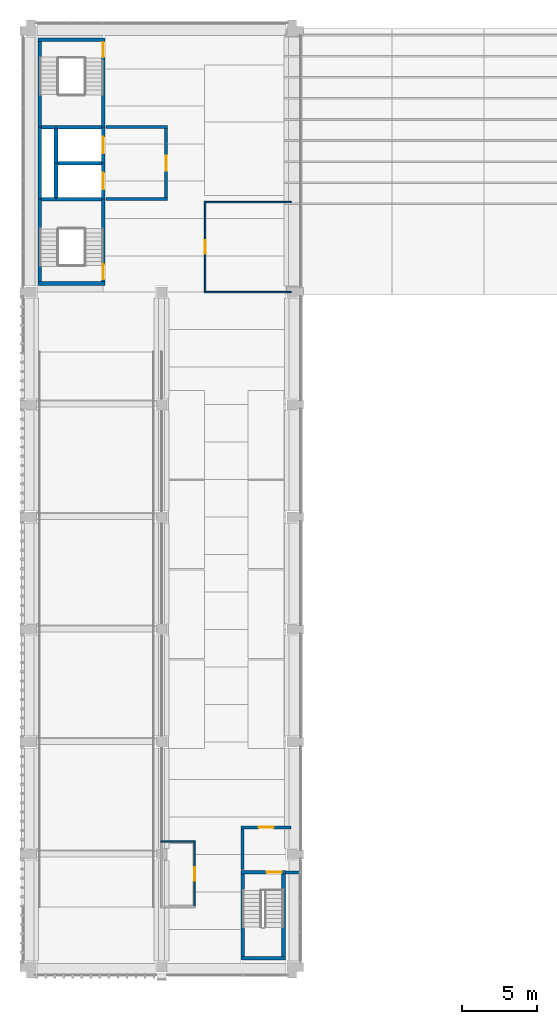
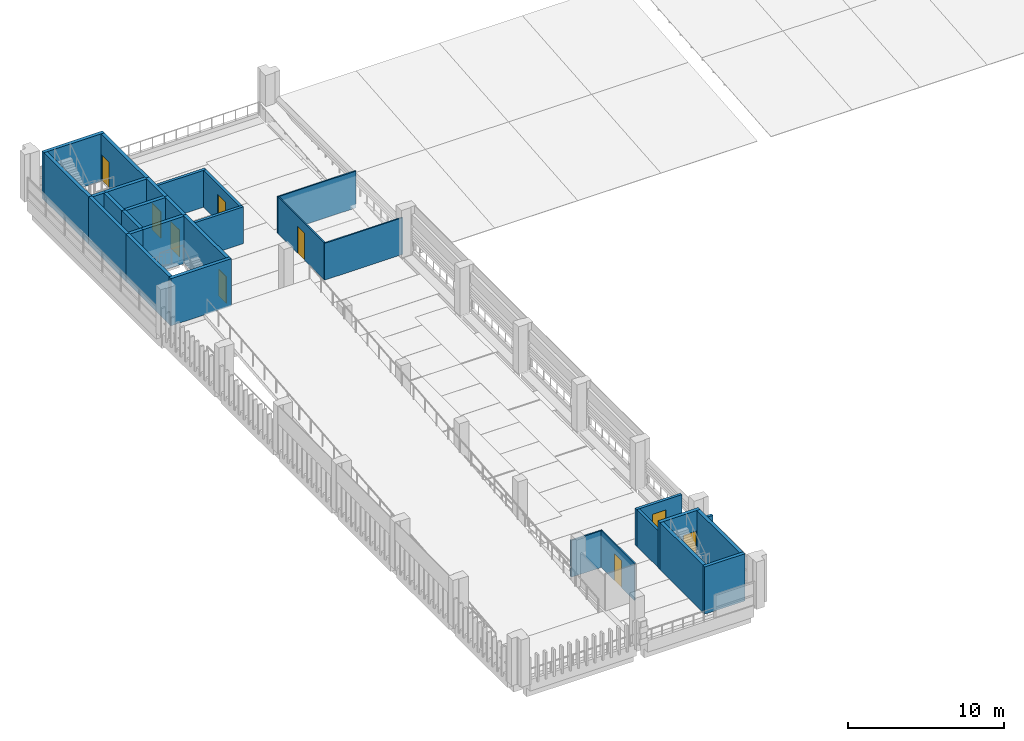
# One storey, part 12 of 24: 31 walls, 9 doors, 9 openings.
"""IFC4 building model written with IfcOpenShell, lengths in metres."""

from ifc_helpers import new_model, si_unit, direction, frame, frame_2d, origin, place, context, subcontext, project, spatial, rectangle, extrude, material, layer, layer_set, type_object, element, fill, save


model = new_model("IFC4")

# Units and contexts
model_context = context("Model", 3, precision=1e-05, world=origin(), true_north=direction((0.0, 1.0)))
body_context = subcontext(model_context, "Body", "Model", "MODEL_VIEW")
ifc_project = project(units=[si_unit("LENGTHUNIT", "METRE"), si_unit("AREAUNIT", "SQUARE_METRE"), si_unit("VOLUMEUNIT", "CUBIC_METRE"), si_unit("PLANEANGLEUNIT", "RADIAN"), si_unit("MASSUNIT", "GRAM", prefix="KILO")], contexts=[model_context])

# Site, building, storey
site_placement = place(None, origin())
site = spatial("IfcSite", under=ifc_project, at=site_placement, CompositionType="ELEMENT")
building_placement = place(site_placement, origin())
building = spatial("IfcBuilding", under=site, at=building_placement, Name="Cour d'Honneur Mobility Palace", CompositionType="ELEMENT")
storey_placement = place(building_placement, frame((0.0, 0.0, 26.699951171875)))
storey = spatial("IfcBuildingStorey", under=building, at=storey_placement, Name="L07", CompositionType="ELEMENT", Elevation=26.699951171875)

# Walls
ifc_material_1 = material(Name="Concrete C50", Category="concrete")
ifc_layer_1 = layer(ifc_material_1, 0.25)
ifc_layer_set_1 = layer_set([ifc_layer_1], Name="Concrete C50")
wall_type_1 = type_object("IfcWallType", Name="Lift shaft wall 250", PredefinedType="SHEAR", material=ifc_layer_set_1)
wall_1_placement = place(storey_placement, frame((1.77490234375, 53.60009765625, 0.0), z_axis=(0.0, 0.0, 1.0), x_axis=(1.0, 0.0, 0.0)))
element("IfcWall", 1, at=wall_1_placement, inside=storey, type_object=wall_type_1, Name="Lift shaft wall WL-CW4 L07", PredefinedType="SHEAR", context=body_context, shape_type="SweptSolid", body=[
    extrude(rectangle(XDim=2.900146484375, YDim=0.25, at=frame_2d((1.4501953125, 0.0))), origin(), (0.0, 0.0, 1.0), 3.699951171875),
])
wall_2_placement = place(storey_placement, frame((1.64990234375, 51.324951171875, 0.0), z_axis=(0.0, 0.0, 1.0), x_axis=(0.0, 1.0, 0.0)))
element("IfcWall", 2, at=wall_2_placement, inside=storey, type_object=wall_type_1, Name="Lift shaft wall WL-CW11 L07", PredefinedType="SHEAR", context=body_context, shape_type="SweptSolid", body=[
    extrude(rectangle(XDim=2.275146484375, YDim=0.25, at=frame_2d((1.1376953125, 0.0))), origin(), (0.0, 0.0, 1.0), 3.699951171875),
])
wall_3_placement = place(storey_placement, frame((1.64990234375, 53.60009765625, 0.0), z_axis=(0.0, 0.0, 1.0), x_axis=(0.0, 1.0, 0.0)))
element("IfcWall", 3, at=wall_3_placement, inside=storey, type_object=wall_type_1, Name="Lift shaft wall WL-CW12 L07", PredefinedType="SHEAR", context=body_context, shape_type="SweptSolid", body=[
    extrude(rectangle(XDim=2.27490234375, YDim=0.25, at=frame_2d((1.137451171875, 0.0))), origin(), (0.0, 0.0, 1.0), 3.699951171875),
])

# Wall, opening, door
wall_4_placement = place(storey_placement, frame((4.800048828125, 51.199951171875, 0.0), z_axis=(0.0, 0.0, 1.0), x_axis=(0.0, 1.0, 0.0)))
wall_4 = element("IfcWall", 4, at=wall_4_placement, inside=storey, type_object=wall_type_1, Name="Lift shaft wall WL-CW14 L07", PredefinedType="SHEAR", context=body_context, shape_type="SweptSolid", body=[
    extrude(rectangle(XDim=2.400146484375, YDim=0.25, at=frame_2d((1.2001953125, 0.0))), origin(), (0.0, 0.0, 1.0), 3.699951171875),
])
opening_1_placement = place(wall_4_placement, frame((0.64990234375, 0.0, 0.0)))
opening_1 = element("IfcOpeningElement", 5, at=opening_1_placement, cuts=wall_4, Name="Opening LD8", PredefinedType="OPENING", context=body_context, shape_type="SweptSolid", body=[
    extrude(rectangle(XDim=1.10009765625, YDim=2.10009765625, at=frame_2d((0.550048828125, 1.050048828125))), frame((0.0, 0.135009765625, 0.0), z_axis=(0.0, -1.0, 0.0), x_axis=(1.0, 0.0, 0.0)), (0.0, 0.0, 1.0), 0.27001953125),
])
ifc_material_2 = material(Name="Stainless steel", Category="steel")
door_type_1 = type_object("IfcDoorType", Name="Landing door 1100 x 2100", OperationType="SLIDING_TO_LEFT", PredefinedType="DOOR", material=ifc_material_2)
door_1_placement = place(opening_1_placement, origin())
door_1 = element("IfcDoor", 6, at=door_1_placement, inside=storey, type_object=door_type_1, Name="Landing door LF-CW1 L07", OperationType="SLIDING_TO_LEFT", OverallHeight=2.10009765625, OverallWidth=1.10009765625, PredefinedType="DOOR", context=body_context, shape_type="SweptSolid", body=[
    extrude(rectangle(XDim=1.10009765625, YDim=2.10009765625, at=frame_2d((0.550048828125, 1.050048828125))), frame((0.0, 0.02490234375, 0.0), z_axis=(0.0, -1.0, 0.0), x_axis=(1.0, 0.0, 0.0)), (0.0, 0.0, 1.0), 0.050048828125),
])
fill(opening_1, door_1)

wall_5_placement = place(storey_placement, frame((4.800048828125, 53.60009765625, 0.0), z_axis=(0.0, 0.0, 1.0), x_axis=(0.0, 1.0, 0.0)))
wall_5 = element("IfcWall", 7, at=wall_5_placement, inside=storey, type_object=wall_type_1, Name="Lift shaft wall WL-CW15 L07", PredefinedType="SHEAR", context=body_context, shape_type="SweptSolid", body=[
    extrude(rectangle(XDim=2.39990234375, YDim=0.25, at=frame_2d((1.199951171875, 0.0))), origin(), (0.0, 0.0, 1.0), 3.699951171875),
])
opening_2_placement = place(wall_5_placement, frame((0.64990234375, 0.0, 0.0)))
opening_2 = element("IfcOpeningElement", 8, at=opening_2_placement, cuts=wall_5, Name="Opening LD18", PredefinedType="OPENING", context=body_context, shape_type="SweptSolid", body=[
    extrude(rectangle(XDim=1.10009765625, YDim=2.10009765625, at=frame_2d((0.550048828125, 1.050048828125))), frame((0.0, 0.135009765625, 0.0), z_axis=(0.0, -1.0, 0.0), x_axis=(1.0, 0.0, 0.0)), (0.0, 0.0, 1.0), 0.27001953125),
])
door_2_placement = place(opening_2_placement, origin())
door_2 = element("IfcDoor", 9, at=door_2_placement, inside=storey, type_object=door_type_1, Name="Landing door LF-CW2 L07", OperationType="SLIDING_TO_LEFT", OverallHeight=2.10009765625, OverallWidth=1.10009765625, PredefinedType="DOOR", context=body_context, shape_type="SweptSolid", body=[
    extrude(rectangle(XDim=1.10009765625, YDim=2.10009765625, at=frame_2d((0.550048828125, 1.050048828125))), frame((0.0, 0.02490234375, 0.0), z_axis=(0.0, -1.0, 0.0), x_axis=(1.0, 0.0, 0.0)), (0.0, 0.0, 1.0), 0.050048828125),
])
fill(opening_2, door_2)

ifc_material_3 = material(Name="Gypsum plasterboard")
ifc_layer_2 = layer(ifc_material_3, 0.10009765625)
ifc_layer_set_2 = layer_set([ifc_layer_2], Name="Gypsum plasterboard")
wall_type_2 = type_object("IfcWallType", Name="Partition 100", PredefinedType="PARTITIONING", material=ifc_layer_set_2)
wall_6_placement = place(storey_placement, frame((10.89990234375, 4.050048828125, 0.0), z_axis=(0.0, 0.0, 1.0), x_axis=(0.0, 1.0, 0.0)))
wall_6 = element("IfcWall", 10, at=wall_6_placement, inside=storey, type_object=wall_type_2, Name="Partition 002", PredefinedType="PARTITIONING", context=body_context, shape_type="SweptSolid", body=[
    extrude(rectangle(XDim=4.25, YDim=0.10009765625, at=frame_2d((2.125, 0.0))), origin(), (0.0, 0.0, 1.0), 2.880126953125),
])
opening_3_placement = place(wall_6_placement, frame((1.675048828125, 0.0, 0.0)))
opening_3 = element("IfcOpeningElement", 11, at=opening_3_placement, cuts=wall_6, Name="Opening D0704", PredefinedType="OPENING", context=body_context, shape_type="SweptSolid", body=[
    extrude(rectangle(XDim=0.89990234375, YDim=2.10009765625, at=frame_2d((0.449951171875, 1.050048828125))), frame((0.0, 0.06005859375, 0.0), z_axis=(0.0, -1.0, 0.0), x_axis=(1.0, 0.0, 0.0)), (0.0, 0.0, 1.0), 0.1201171875),
])
ifc_material_4 = material(Name="Solid timber", Category="wood")
door_type_2 = type_object("IfcDoorType", Name="Single door 900 x 2100", OperationType="SINGLE_SWING_LEFT", PredefinedType="DOOR", material=ifc_material_4)
door_3_placement = place(opening_3_placement, origin())
door_3 = element("IfcDoor", 12, at=door_3_placement, inside=storey, type_object=door_type_2, Name="Door Valet Handover West", OperationType="SINGLE_SWING_LEFT", OverallHeight=2.10009765625, OverallWidth=0.89990234375, PredefinedType="DOOR", context=body_context, shape_type="SweptSolid", body=[
    extrude(rectangle(XDim=0.89990234375, YDim=2.10009765625, at=frame_2d((0.449951171875, 1.050048828125))), frame((0.0, 0.02490234375, 0.0), z_axis=(0.0, -1.0, 0.0), x_axis=(1.0, 0.0, 0.0)), (0.0, 0.0, 1.0), 0.050048828125),
])
fill(opening_3, door_3)

# Walls
wall_7_placement = place(storey_placement, frame((10.949951171875, 8.35009765625, 0.0), z_axis=(0.0, 0.0, 1.0), x_axis=(-1.0, 0.0, 0.0)))
element("IfcWall", 13, at=wall_7_placement, inside=storey, type_object=wall_type_2, Name="Partition 009", PredefinedType="PARTITIONING", context=body_context, shape_type="SweptSolid", body=[
    extrude(rectangle(XDim=2.300048828125, YDim=0.10009765625, at=frame_2d((1.14990234375, 0.0))), origin(), (0.0, 0.0, 1.0), 2.880126953125),
])
wall_8_placement = place(storey_placement, frame((11.550048828125, 45.0, 0.0), z_axis=(0.0, 0.0, 1.0), x_axis=(1.0, 0.0, 0.0)))
element("IfcWall", 14, at=wall_8_placement, inside=storey, type_object=wall_type_2, Name="Partition 015", PredefinedType="PARTITIONING", context=body_context, shape_type="SweptSolid", body=[
    extrude(rectangle(XDim=5.7900390625, YDim=0.10009765625, at=frame_2d((2.89501953125, 0.0))), origin(), (0.0, 0.0, 1.0), 2.880126953125),
])

# Wall, opening, door
wall_9_placement = place(storey_placement, frame((11.60009765625, 50.949951171875, 0.0), z_axis=(0.0, 0.0, 1.0), x_axis=(0.0, -1.0, 0.0)))
wall_9 = element("IfcWall", 15, at=wall_9_placement, inside=storey, type_object=wall_type_2, Name="Partition 018", PredefinedType="PARTITIONING", context=body_context, shape_type="SweptSolid", body=[
    extrude(rectangle(XDim=5.89990234375, YDim=0.10009765625, at=frame_2d((2.949951171875, 0.0))), origin(), (0.0, 0.0, 1.0), 2.880126953125),
])
opening_4_placement = place(wall_9_placement, frame((2.5, 0.0, 0.0)))
opening_4 = element("IfcOpeningElement", 16, at=opening_4_placement, cuts=wall_9, Name="Opening D0706", PredefinedType="OPENING", context=body_context, shape_type="SweptSolid", body=[
    extrude(rectangle(XDim=0.89990234375, YDim=2.10009765625, at=frame_2d((0.449951171875, 1.050048828125))), frame((0.0, 0.06005859375, 0.0), z_axis=(0.0, -1.0, 0.0), x_axis=(1.0, 0.0, 0.0)), (0.0, 0.0, 1.0), 0.1201171875),
])
door_4_placement = place(opening_4_placement, origin())
door_4 = element("IfcDoor", 17, at=door_4_placement, inside=storey, type_object=door_type_2, Name="Door Charging Control Room", OperationType="SINGLE_SWING_RIGHT", OverallHeight=2.10009765625, OverallWidth=0.89990234375, PredefinedType="DOOR", context=body_context, shape_type="SweptSolid", body=[
    extrude(rectangle(XDim=0.89990234375, YDim=2.10009765625, at=frame_2d((0.449951171875, 1.050048828125))), frame((0.0, 0.02490234375, 0.0), z_axis=(0.0, -1.0, 0.0), x_axis=(1.0, 0.0, 0.0)), (0.0, 0.0, 1.0), 0.050048828125),
])
fill(opening_4, door_4)

# Walls
wall_10_placement = place(storey_placement, frame((17.340087890625, 51.0, 0.0), z_axis=(0.0, 0.0, 1.0), x_axis=(-1.0, 0.0, 0.0)))
element("IfcWall", 18, at=wall_10_placement, inside=storey, type_object=wall_type_2, Name="Partition 019", PredefinedType="PARTITIONING", context=body_context, shape_type="SweptSolid", body=[
    extrude(rectangle(XDim=5.7900390625, YDim=0.10009765625, at=frame_2d((2.89501953125, 0.0))), origin(), (0.0, 0.0, 1.0), 2.880126953125),
])
ifc_material_5 = material(Name="Gypsum plasterboard")
ifc_layer_3 = layer(ifc_material_5, 0.199951171875)
ifc_layer_set_3 = layer_set([ifc_layer_3], Name="Gypsum plasterboard")
wall_type_3 = type_object("IfcWallType", Name="Partition 200 rated EI 120", PredefinedType="PARTITIONING", material=ifc_layer_set_3)
wall_11_placement = place(storey_placement, frame((16.949951171875, 6.300048828125, 0.0), z_axis=(0.0, 0.0, 1.0), x_axis=(1.0, 0.0, 0.0)))
element("IfcWall", 19, at=wall_11_placement, inside=storey, type_object=wall_type_3, Name="Partition 005", PredefinedType="PARTITIONING", context=body_context, shape_type="SweptSolid", body=[
    extrude(rectangle(XDim=0.949951171875, YDim=0.199951171875, at=frame_2d((0.47509765625, 0.0))), origin(), (0.0, 0.0, 1.0), 2.880126953125),
])
wall_12_placement = place(storey_placement, frame((14.10009765625, 9.199951171875, 0.0), z_axis=(0.0, 0.0, 1.0), x_axis=(0.0, -1.0, 0.0)))
element("IfcWall", 20, at=wall_12_placement, inside=storey, type_object=wall_type_3, Name="Partition 012", PredefinedType="PARTITIONING", context=body_context, shape_type="SweptSolid", body=[
    extrude(rectangle(XDim=2.724853515625, YDim=0.199951171875, at=frame_2d((1.3623046875, 0.0))), origin(), (0.0, 0.0, 1.0), 2.880126953125),
])

# Wall, opening, door
wall_13_placement = place(storey_placement, frame((17.340087890625, 9.300048828125, 0.0), z_axis=(0.0, 0.0, 1.0), x_axis=(-1.0, 0.0, 0.0)))
wall_13 = element("IfcWall", 21, at=wall_13_placement, inside=storey, type_object=wall_type_3, Name="Partition 013", PredefinedType="PARTITIONING", context=body_context, shape_type="SweptSolid", body=[
    extrude(rectangle(XDim=3.340087890625, YDim=0.199951171875, at=frame_2d((1.669921875, 0.0))), origin(), (0.0, 0.0, 1.0), 2.880126953125),
])
opening_5_placement = place(wall_13_placement, frame((1.169921875, 0.0, 0.0)))
opening_5 = element("IfcOpeningElement", 22, at=opening_5_placement, cuts=wall_13, Name="Opening D0702", PredefinedType="OPENING", context=body_context, shape_type="SweptSolid", body=[
    extrude(rectangle(XDim=1.0, YDim=2.10009765625, at=frame_2d((0.5, 1.050048828125))), frame((0.0, 0.10986328125, 0.0), z_axis=(0.0, -1.0, 0.0), x_axis=(1.0, 0.0, 0.0)), (0.0, 0.0, 1.0), 0.219970703125),
])
ifc_material_6 = material(Name="Galvanised steel", Category="steel")
door_type_3 = type_object("IfcDoorType", Name="Fire door FD120 1000 x 2100", OperationType="SINGLE_SWING_LEFT", PredefinedType="DOOR", material=ifc_material_6)
door_5_placement = place(opening_5_placement, origin())
door_5 = element("IfcDoor", 23, at=door_5_placement, inside=storey, type_object=door_type_3, Name="Door Stair Lobby RW", OperationType="SINGLE_SWING_LEFT", OverallHeight=2.10009765625, OverallWidth=1.0, PredefinedType="DOOR", context=body_context, shape_type="SweptSolid", body=[
    extrude(rectangle(XDim=1.0, YDim=2.10009765625, at=frame_2d((0.5, 1.050048828125))), frame((0.0, 0.02490234375, 0.0), z_axis=(0.0, -1.0, 0.0), x_axis=(1.0, 0.0, 0.0)), (0.0, 0.0, 1.0), 0.050048828125),
])
fill(opening_5, door_5)

# Wall
wall_14_placement = place(storey_placement, frame((4.97509765625, 51.199951171875, 0.0), z_axis=(0.0, 0.0, 1.0), x_axis=(1.0, 0.0, 0.0)))
element("IfcWall", 24, at=wall_14_placement, inside=storey, type_object=wall_type_3, Name="Partition 021", PredefinedType="PARTITIONING", context=body_context, shape_type="SweptSolid", body=[
    extrude(rectangle(XDim=4.125, YDim=0.199951171875, at=frame_2d((2.0625, 0.0))), origin(), (0.0, 0.0, 1.0), 2.880126953125),
])

# Wall, opening, door
wall_15_placement = place(storey_placement, frame((9.0, 51.300048828125, 0.0), z_axis=(0.0, 0.0, 1.0), x_axis=(0.0, 1.0, 0.0)))
wall_15 = element("IfcWall", 25, at=wall_15_placement, inside=storey, type_object=wall_type_3, Name="Partition 022", PredefinedType="PARTITIONING", context=body_context, shape_type="SweptSolid", body=[
    extrude(rectangle(XDim=4.599853515625, YDim=0.199951171875, at=frame_2d((2.2998046875, 0.0))), origin(), (0.0, 0.0, 1.0), 2.880126953125),
])
opening_6_placement = place(wall_15_placement, frame((1.800048828125, 0.0, 0.0)))
opening_6 = element("IfcOpeningElement", 26, at=opening_6_placement, cuts=wall_15, Name="Opening D0701", PredefinedType="OPENING", context=body_context, shape_type="SweptSolid", body=[
    extrude(rectangle(XDim=1.0, YDim=2.10009765625, at=frame_2d((0.5, 1.050048828125))), frame((0.0, 0.10986328125, 0.0), z_axis=(0.0, -1.0, 0.0), x_axis=(1.0, 0.0, 0.0)), (0.0, 0.0, 1.0), 0.219970703125),
])
door_6_placement = place(opening_6_placement, origin())
door_6 = element("IfcDoor", 27, at=door_6_placement, inside=storey, type_object=door_type_3, Name="Door Firefighting Lobby CW", OperationType="SINGLE_SWING_RIGHT", OverallHeight=2.10009765625, OverallWidth=1.0, PredefinedType="DOOR", context=body_context, shape_type="SweptSolid", body=[
    extrude(rectangle(XDim=1.0, YDim=2.10009765625, at=frame_2d((0.5, 1.050048828125))), frame((0.0, 0.02490234375, 0.0), z_axis=(0.0, -1.0, 0.0), x_axis=(1.0, 0.0, 0.0)), (0.0, 0.0, 1.0), 0.050048828125),
])
fill(opening_6, door_6)

# Walls
wall_16_placement = place(storey_placement, frame((9.10009765625, 56.0, 0.0), z_axis=(0.0, 0.0, 1.0), x_axis=(-1.0, 0.0, 0.0)))
element("IfcWall", 28, at=wall_16_placement, inside=storey, type_object=wall_type_3, Name="Partition 024", PredefinedType="PARTITIONING", context=body_context, shape_type="SweptSolid", body=[
    extrude(rectangle(XDim=4.125, YDim=0.199951171875, at=frame_2d((2.0625, 0.0))), origin(), (0.0, 0.0, 1.0), 2.880126953125),
])
ifc_material_7 = material(Name="Concrete C50", Category="concrete")
ifc_layer_4 = layer(ifc_material_7, 0.25)
ifc_layer_set_4 = layer_set([ifc_layer_4], Name="Concrete C50")
wall_type_4 = type_object("IfcWallType", Name="Shaft wall 250", PredefinedType="SHEAR", material=ifc_layer_set_4)
wall_17_placement = place(storey_placement, frame((0.574951171875, 51.199951171875, 0.0), z_axis=(0.0, 0.0, 1.0), x_axis=(0.0, 1.0, 0.0)))
element("IfcWall", 29, at=wall_17_placement, inside=storey, type_object=wall_type_4, Name="Shaft wall WR-CW9 L07", PredefinedType="SHEAR", context=body_context, shape_type="SweptSolid", body=[
    extrude(rectangle(XDim=4.800048828125, YDim=0.25, at=frame_2d((2.39990234375, 0.0))), origin(), (0.0, 0.0, 1.0), 3.699951171875),
])
ifc_material_8 = material(Name="Concrete C50", Category="concrete")
ifc_layer_5 = layer(ifc_material_8, 0.25)
ifc_layer_set_5 = layer_set([ifc_layer_5], Name="Concrete C50")
wall_type_5 = type_object("IfcWallType", Name="Stair wall 250", PredefinedType="SHEAR", material=ifc_layer_set_5)
wall_18_placement = place(storey_placement, frame((0.449951171875, 45.574951171875, 0.0), z_axis=(0.0, 0.0, 1.0), x_axis=(1.0, 0.0, 0.0)))
element("IfcWall", 30, at=wall_18_placement, inside=storey, type_object=wall_type_5, Name="Stair wall WS-CW1 L07", PredefinedType="SHEAR", context=body_context, shape_type="SweptSolid", body=[
    extrude(rectangle(XDim=4.47509765625, YDim=0.25, at=frame_2d((2.237548828125, 0.0))), origin(), (0.0, 0.0, 1.0), 3.699951171875),
])
wall_19_placement = place(storey_placement, frame((0.699951171875, 51.199951171875, 0.0), z_axis=(0.0, 0.0, 1.0), x_axis=(1.0, 0.0, 0.0)))
element("IfcWall", 31, at=wall_19_placement, inside=storey, type_object=wall_type_5, Name="Stair wall WS-CW2 L07", PredefinedType="SHEAR", context=body_context, shape_type="SweptSolid", body=[
    extrude(rectangle(XDim=0.949951171875, YDim=0.25, at=frame_2d((0.47509765625, 0.0))), origin(), (0.0, 0.0, 1.0), 3.699951171875),
])
wall_20_placement = place(storey_placement, frame((1.64990234375, 51.199951171875, 0.0), z_axis=(0.0, 0.0, 1.0), x_axis=(1.0, 0.0, 0.0)))
element("IfcWall", 32, at=wall_20_placement, inside=storey, type_object=wall_type_5, Name="Stair wall WS-CW3 L07", PredefinedType="SHEAR", context=body_context, shape_type="SweptSolid", body=[
    extrude(rectangle(XDim=3.025146484375, YDim=0.25, at=frame_2d((1.5126953125, 0.0))), origin(), (0.0, 0.0, 1.0), 3.699951171875),
])
wall_21_placement = place(storey_placement, frame((0.699951171875, 56.0, 0.0), z_axis=(0.0, 0.0, 1.0), x_axis=(1.0, 0.0, 0.0)))
element("IfcWall", 33, at=wall_21_placement, inside=storey, type_object=wall_type_5, Name="Stair wall WS-CW5 L07", PredefinedType="SHEAR", context=body_context, shape_type="SweptSolid", body=[
    extrude(rectangle(XDim=0.949951171875, YDim=0.25, at=frame_2d((0.47509765625, 0.0))), origin(), (0.0, 0.0, 1.0), 3.699951171875),
])
wall_22_placement = place(storey_placement, frame((1.64990234375, 56.0, 0.0), z_axis=(0.0, 0.0, 1.0), x_axis=(1.0, 0.0, 0.0)))
element("IfcWall", 34, at=wall_22_placement, inside=storey, type_object=wall_type_5, Name="Stair wall WS-CW6 L07", PredefinedType="SHEAR", context=body_context, shape_type="SweptSolid", body=[
    extrude(rectangle(XDim=3.025146484375, YDim=0.25, at=frame_2d((1.5126953125, 0.0))), origin(), (0.0, 0.0, 1.0), 3.699951171875),
])
wall_23_placement = place(storey_placement, frame((0.449951171875, 61.824951171875, 0.0), z_axis=(0.0, 0.0, 1.0), x_axis=(1.0, 0.0, 0.0)))
element("IfcWall", 35, at=wall_23_placement, inside=storey, type_object=wall_type_5, Name="Stair wall WS-CW7 L07", PredefinedType="SHEAR", context=body_context, shape_type="SweptSolid", body=[
    extrude(rectangle(XDim=4.47509765625, YDim=0.25, at=frame_2d((2.237548828125, 0.0))), origin(), (0.0, 0.0, 1.0), 3.699951171875),
])
wall_24_placement = place(storey_placement, frame((0.574951171875, 45.699951171875, 0.0), z_axis=(0.0, 0.0, 1.0), x_axis=(0.0, 1.0, 0.0)))
element("IfcWall", 36, at=wall_24_placement, inside=storey, type_object=wall_type_5, Name="Stair wall WS-CW8 L07", PredefinedType="SHEAR", context=body_context, shape_type="SweptSolid", body=[
    extrude(rectangle(XDim=5.5, YDim=0.25, at=frame_2d((2.75, 0.0))), origin(), (0.0, 0.0, 1.0), 3.699951171875),
])
wall_25_placement = place(storey_placement, frame((0.574951171875, 56.0, 0.0), z_axis=(0.0, 0.0, 1.0), x_axis=(0.0, 1.0, 0.0)))
element("IfcWall", 37, at=wall_25_placement, inside=storey, type_object=wall_type_5, Name="Stair wall WS-CW10 L07", PredefinedType="SHEAR", context=body_context, shape_type="SweptSolid", body=[
    extrude(rectangle(XDim=5.699951171875, YDim=0.25, at=frame_2d((2.85009765625, 0.0))), origin(), (0.0, 0.0, 1.0), 3.699951171875),
])

# Wall, opening, door
wall_26_placement = place(storey_placement, frame((4.800048828125, 45.699951171875, 0.0), z_axis=(0.0, 0.0, 1.0), x_axis=(0.0, 1.0, 0.0)))
wall_26 = element("IfcWall", 38, at=wall_26_placement, inside=storey, type_object=wall_type_5, Name="Stair wall WS-CW13 L07", PredefinedType="SHEAR", context=body_context, shape_type="SweptSolid", body=[
    extrude(rectangle(XDim=5.5, YDim=0.25, at=frame_2d((2.75, 0.0))), origin(), (0.0, 0.0, 1.0), 3.699951171875),
])
opening_7_placement = place(wall_26_placement, frame((0.14990234375, 0.0, 0.0)))
opening_7 = element("IfcOpeningElement", 39, at=opening_7_placement, cuts=wall_26, Name="Opening S136", PredefinedType="OPENING", context=body_context, shape_type="SweptSolid", body=[
    extrude(rectangle(XDim=1.0, YDim=2.10009765625, at=frame_2d((0.5, 1.050048828125))), frame((0.0, 0.135009765625, 0.0), z_axis=(0.0, -1.0, 0.0), x_axis=(1.0, 0.0, 0.0)), (0.0, 0.0, 1.0), 0.27001953125),
])
ifc_material_9 = material(Name="Galvanised steel", Category="steel")
door_type_4 = type_object("IfcDoorType", Name="Fire door FD120 stair 1000 x 2100", OperationType="SINGLE_SWING_LEFT", PredefinedType="DOOR", material=ifc_material_9)
door_7_placement = place(opening_7_placement, origin())
door_7 = element("IfcDoor", 40, at=door_7_placement, inside=storey, type_object=door_type_4, Name="Stair door ST-CW1 L07", OperationType="SINGLE_SWING_RIGHT", OverallHeight=2.10009765625, OverallWidth=1.0, PredefinedType="DOOR", context=body_context, shape_type="SweptSolid", body=[
    extrude(rectangle(XDim=1.0, YDim=2.10009765625, at=frame_2d((0.5, 1.050048828125))), frame((0.0, 0.02490234375, 0.0), z_axis=(0.0, -1.0, 0.0), x_axis=(1.0, 0.0, 0.0)), (0.0, 0.0, 1.0), 0.050048828125),
])
fill(opening_7, door_7)

wall_27_placement = place(storey_placement, frame((4.800048828125, 56.0, 0.0), z_axis=(0.0, 0.0, 1.0), x_axis=(0.0, 1.0, 0.0)))
wall_27 = element("IfcWall", 41, at=wall_27_placement, inside=storey, type_object=wall_type_5, Name="Stair wall WS-CW16 L07", PredefinedType="SHEAR", context=body_context, shape_type="SweptSolid", body=[
    extrude(rectangle(XDim=5.699951171875, YDim=0.25, at=frame_2d((2.85009765625, 0.0))), origin(), (0.0, 0.0, 1.0), 3.699951171875),
])
opening_8_placement = place(wall_27_placement, frame((4.675048828125, 0.0, 0.0)))
opening_8 = element("IfcOpeningElement", 42, at=opening_8_placement, cuts=wall_27, Name="Opening S72", PredefinedType="OPENING", context=body_context, shape_type="SweptSolid", body=[
    extrude(rectangle(XDim=1.0, YDim=2.10009765625, at=frame_2d((0.5, 1.050048828125))), frame((0.0, 0.135009765625, 0.0), z_axis=(0.0, -1.0, 0.0), x_axis=(1.0, 0.0, 0.0)), (0.0, 0.0, 1.0), 0.27001953125),
])
door_8_placement = place(opening_8_placement, origin())
door_8 = element("IfcDoor", 43, at=door_8_placement, inside=storey, type_object=door_type_4, Name="Stair door ST-CW2 L07", OperationType="SINGLE_SWING_LEFT", OverallHeight=2.10009765625, OverallWidth=1.0, PredefinedType="DOOR", context=body_context, shape_type="SweptSolid", body=[
    extrude(rectangle(XDim=1.0, YDim=2.10009765625, at=frame_2d((0.5, 1.050048828125))), frame((0.0, 0.02490234375, 0.0), z_axis=(0.0, -1.0, 0.0), x_axis=(1.0, 0.0, 0.0)), (0.0, 0.0, 1.0), 0.050048828125),
])
fill(opening_8, door_8)

# Wall
wall_28_placement = place(storey_placement, frame((13.97509765625, 0.574951171875, 0.0), z_axis=(0.0, 0.0, 1.0), x_axis=(1.0, 0.0, 0.0)))
element("IfcWall", 44, at=wall_28_placement, inside=storey, type_object=wall_type_5, Name="Stair wall WS-RW1 L07", PredefinedType="SHEAR", context=body_context, shape_type="SweptSolid", body=[
    extrude(rectangle(XDim=2.974853515625, YDim=0.25, at=frame_2d((1.4873046875, 0.0))), origin(), (0.0, 0.0, 1.0), 3.699951171875),
])

# Wall, opening, door
wall_29_placement = place(storey_placement, frame((13.97509765625, 6.300048828125, 0.0), z_axis=(0.0, 0.0, 1.0), x_axis=(1.0, 0.0, 0.0)))
wall_29 = element("IfcWall", 45, at=wall_29_placement, inside=storey, type_object=wall_type_5, Name="Stair wall WS-RW2 L07", PredefinedType="SHEAR", context=body_context, shape_type="SweptSolid", body=[
    extrude(rectangle(XDim=2.974853515625, YDim=0.25, at=frame_2d((1.4873046875, 0.0))), origin(), (0.0, 0.0, 1.0), 3.699951171875),
])
opening_9_placement = place(wall_29_placement, frame((1.72509765625, 0.0, 0.0)))
opening_9 = element("IfcOpeningElement", 46, at=opening_9_placement, cuts=wall_29, Name="Opening S116", PredefinedType="OPENING", context=body_context, shape_type="SweptSolid", body=[
    extrude(rectangle(XDim=1.0, YDim=2.10009765625, at=frame_2d((0.5, 1.050048828125))), frame((0.0, 0.135009765625, 0.0), z_axis=(0.0, -1.0, 0.0), x_axis=(1.0, 0.0, 0.0)), (0.0, 0.0, 1.0), 0.27001953125),
])
door_9_placement = place(opening_9_placement, origin())
door_9 = element("IfcDoor", 47, at=door_9_placement, inside=storey, type_object=door_type_4, Name="Stair door ST-RW1 L07", OperationType="SINGLE_SWING_RIGHT", OverallHeight=2.10009765625, OverallWidth=1.0, PredefinedType="DOOR", context=body_context, shape_type="SweptSolid", body=[
    extrude(rectangle(XDim=1.0, YDim=2.10009765625, at=frame_2d((0.5, 1.050048828125))), frame((0.0, 0.02490234375, 0.0), z_axis=(0.0, -1.0, 0.0), x_axis=(1.0, 0.0, 0.0)), (0.0, 0.0, 1.0), 0.050048828125),
])
fill(opening_9, door_9)

# Walls
for number, where, z_axis, x_axis, name in (
    (48, (14.10009765625, 0.699951171875, 0.0), (0.0, 0.0, 1.0), (0.0, 1.0, 0.0), "Stair wall WS-RW3 L07"),
    (49, (16.824951171875, 0.699951171875, 0.0), (0.0, 0.0, 1.0), (0.0, 1.0, 0.0), "Stair wall WS-RW4 L07"),
):
    element("IfcWall", number, at=place(storey_placement, frame(where, z_axis=z_axis, x_axis=x_axis)), inside=storey, type_object=wall_type_5, Name=name, PredefinedType="SHEAR", context=body_context, shape_type="SweptSolid", body=[
        extrude(rectangle(XDim=5.47509765625, YDim=0.25, at=frame_2d((2.737548828125, 0.0))), origin(), (0.0, 0.0, 1.0), 3.699951171875),
    ])

save(model, "model.ifc")
